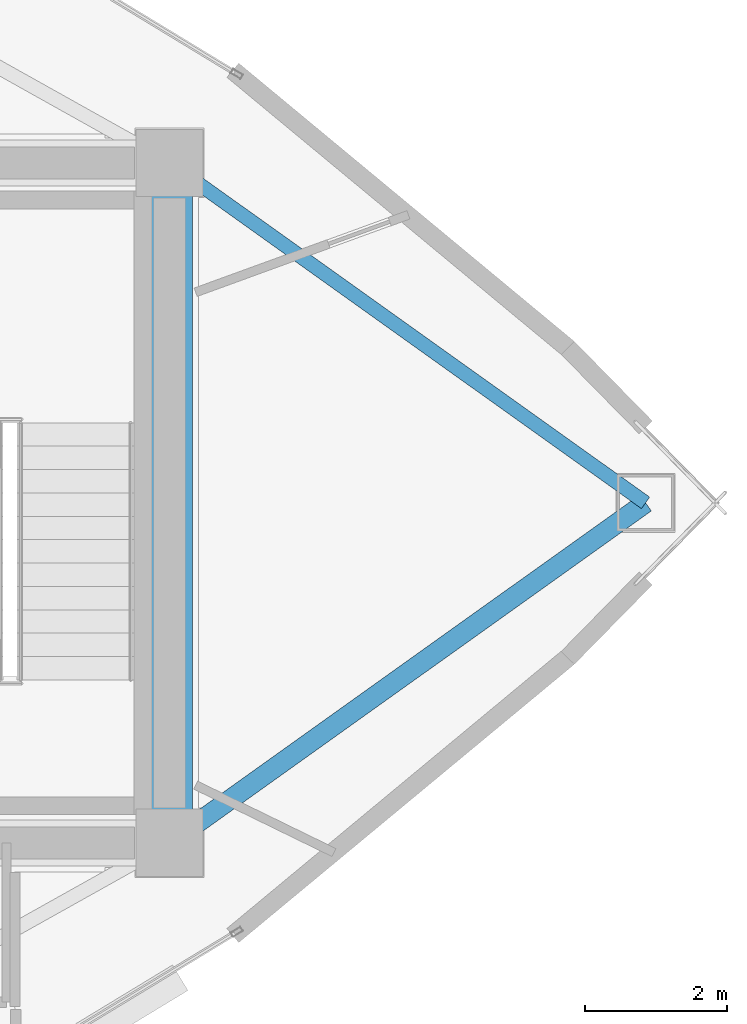
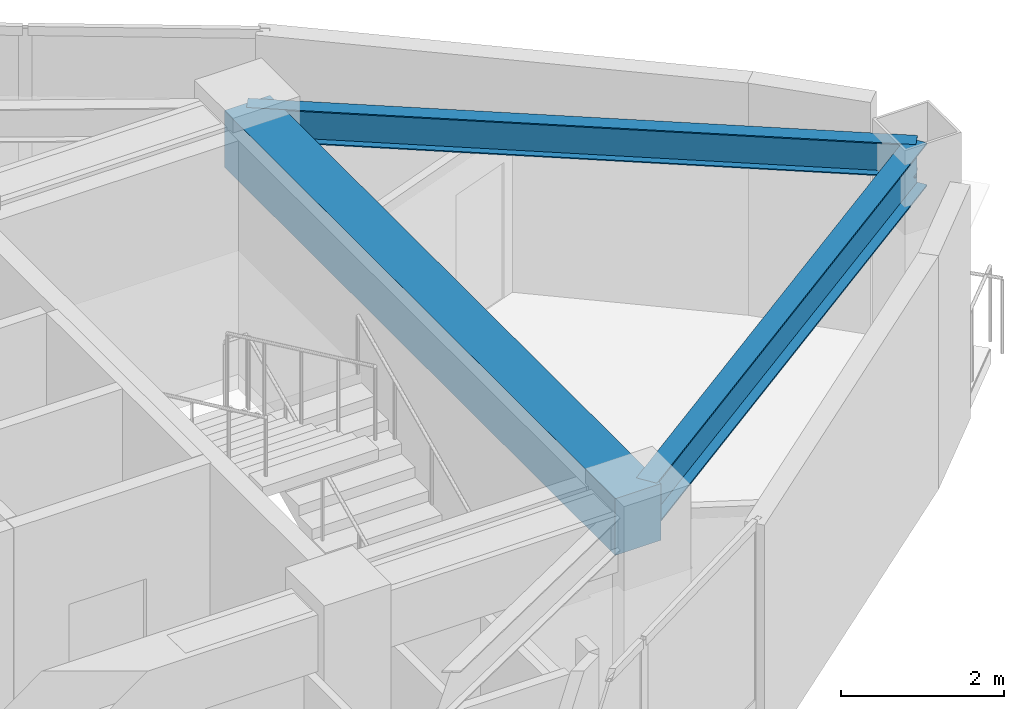
# One storey, part 6 of 16: 3 beams.
"""IFC4 building model written with IfcOpenShell, lengths in metres."""

from ifc_helpers import new_model, si_unit, direction, frame, origin, origin_2d, place, context, subcontext, project, spatial, rectangle, i_section, extrude, material, material_profile, profile_set, type_object, element, save


model = new_model("IFC4")

# Units and contexts
model_context = context("Model", 3, precision=1e-05, world=origin(), true_north=direction((0.0, 1.0)))
body_context = subcontext(model_context, "Body", "Model", "MODEL_VIEW")
ifc_project = project(units=[si_unit("LENGTHUNIT", "METRE"), si_unit("AREAUNIT", "SQUARE_METRE"), si_unit("VOLUMEUNIT", "CUBIC_METRE"), si_unit("PLANEANGLEUNIT", "RADIAN"), si_unit("MASSUNIT", "GRAM", prefix="KILO")], contexts=[model_context])

# Site, building, storey
site_placement = place(None, origin())
site = spatial("IfcSite", under=ifc_project, at=site_placement, CompositionType="ELEMENT")
building_placement = place(site_placement, origin())
building = spatial("IfcBuilding", under=site, at=building_placement, Name="Menara Vayukalpa", CompositionType="ELEMENT")
storey_placement = place(building_placement, frame((0.0, 0.0, 273.179931640625)))
storey = spatial("IfcBuildingStorey", under=building, at=storey_placement, Name="L69", CompositionType="ELEMENT", Elevation=273.179931640625)

# Beams
ifc_material_1 = material(Name="Concrete C60/75", Category="concrete")
ifc_material_profile_1 = material_profile(ifc_material_1, rectangle(XDim=0.64990234375, YDim=0.85009765625, at=origin_2d()), Name="RC 650x850")
ifc_profile_set_1 = profile_set([ifc_material_profile_1], Name="Concrete C60/75")
beam_type_1 = type_object("IfcBeamType", Name="BM-CB1", PredefinedType="BEAM", material=ifc_profile_set_1)
beam_1_placement = place(storey_placement, frame((33.39990234375, 17.199951171875, 3.074951171875), z_axis=(0.0, 1.0, 0.0), x_axis=(-1.0, 0.0, 0.0)))
element("IfcBeam", 1, at=beam_1_placement, inside=storey, type_object=beam_type_1, Name="L69 Core Tie Beam CBR8", PredefinedType="BEAM", context=body_context, shape_type="SweptSolid", body=[
    extrude(rectangle(XDim=0.64990234375, YDim=0.85009765625, at=origin_2d()), origin(), (0.0, 0.0, 1.0), 9.60009765625),
])
ifc_material_2 = material(Name="Steel S355", Category="steel")
ifc_material_profile_2 = material_profile(ifc_material_2, i_section(OverallWidth=0.280029296875, OverallDepth=0.64990234375, WebThickness=0.012939453125, FlangeThickness=0.02197265625, at=origin_2d()), Name="WF 650x280x13x22")
ifc_profile_set_2 = profile_set([ifc_material_profile_2], Name="Steel S355")
beam_type_2 = type_object("IfcBeamType", Name="BM-PG6", PredefinedType="BEAM", material=ifc_profile_set_2)
beam_2_placement = place(storey_placement, frame((33.603515625, 17.34521484375, 3.175048828125), z_axis=(0.813801429135, 0.581143040859, 0.0), x_axis=(-0.581143040859, 0.813801429135, 0.0)))
element("IfcBeam", 2, at=beam_2_placement, inside=storey, type_object=beam_type_2, Name="L69 Primary Radial Girder RG01", PredefinedType="BEAM", context=body_context, shape_type="SweptSolid", body=[
    extrude(i_section(OverallWidth=0.280029296875, OverallDepth=0.64990234375, WebThickness=0.012939453125, FlangeThickness=0.02197265625, at=origin_2d()), origin(), (0.0, 0.0, 1.0), 8.009765625),
])
ifc_material_3 = material(Name="Steel S355", Category="steel")
ifc_material_profile_3 = material_profile(ifc_material_3, i_section(OverallWidth=0.199951171875, OverallDepth=0.5, WebThickness=0.010009765625, FlangeThickness=0.01611328125, at=origin_2d()), Name="WF 500x200x10x16")
ifc_profile_set_3 = profile_set([ifc_material_profile_3], Name="Steel S355")
beam_type_3 = type_object("IfcBeamType", Name="BM-SP3", PredefinedType="SPANDREL", material=ifc_profile_set_3)
beam_3_placement = place(storey_placement, frame((40.121826171875, 22.0, 3.25), z_axis=(-0.813809355401, 0.581131941181, 0.0), x_axis=(-0.581131941181, -0.813809355401, 0.0)))
element("IfcBeam", 3, at=beam_3_placement, inside=storey, type_object=beam_type_3, Name="L69 Perimeter Spandrel Beam SP01", PredefinedType="SPANDREL", context=body_context, shape_type="SweptSolid", body=[
    extrude(i_section(OverallWidth=0.199951171875, OverallDepth=0.5, WebThickness=0.010009765625, FlangeThickness=0.01611328125, at=origin_2d()), origin(), (0.0, 0.0, 1.0), 8.259765625),
])

save(model, "model.ifc")
